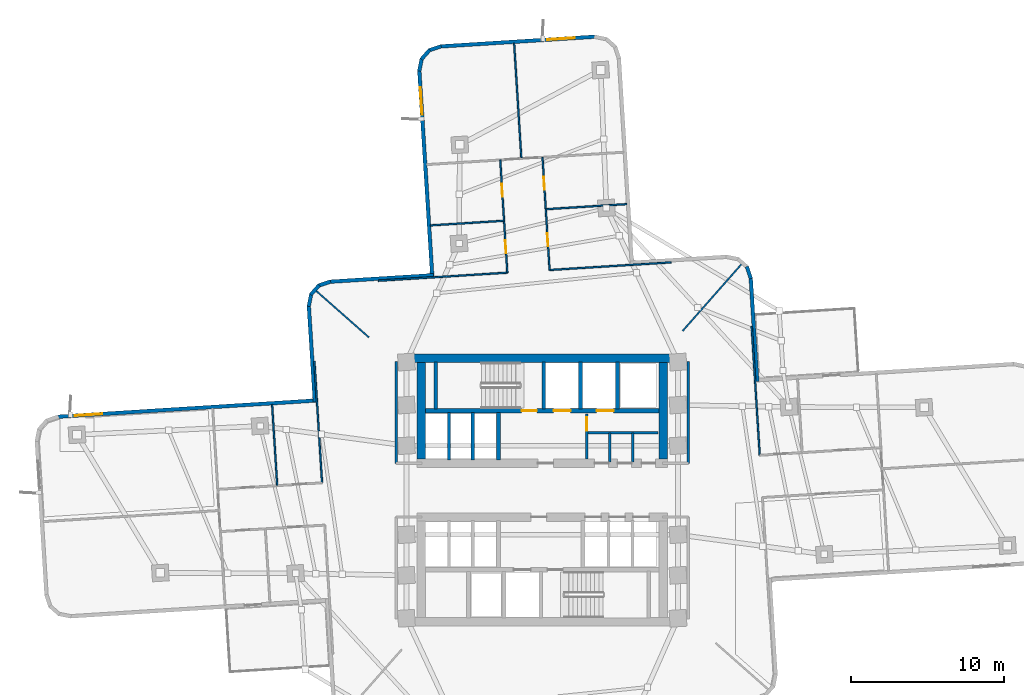
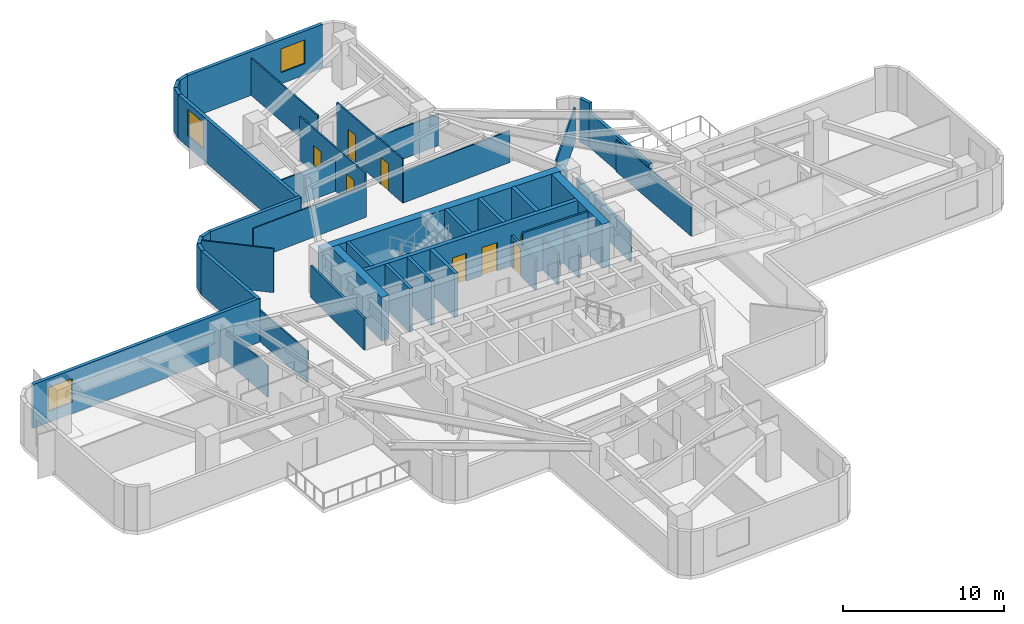
# One storey, part 5 of 11: 42 walls, 8 doors, 3 windows, 11 openings.
"""IFC4 building model written with IfcOpenShell, lengths in metres."""

import ifcopenshell
import ifcopenshell.guid

model = None  # the IFC model being written
_history = None  # IfcOwnerHistory: only IFC2X3 demands one
_inside = {}  # id of a spatial element -> (the spatial element, [elements in it])
_under = {}  # id of a project, library or spatial element -> (it, [spatial elements below it])
_declared = {}  # id of a project -> (the project, [libraries it declares])
_typed = {}  # id of a type object -> (the type object, [elements of that type])
_made_of = {}  # id of a material, layer set ... -> (it, [elements and type objects made of it])


def new_model(schema):
    """Start an empty IFC model of exactly this schema.

    Asked for "IFC4X3", IfcOpenShell would pick the latest addendum, in which some entities
    have other attributes; the version numbers below select the first issue.
    IFC2X3 requires an IfcOwnerHistory on every rooted entity: one is made here for all.
    """
    global model, _history
    if schema == "IFC4X3":
        model = ifcopenshell.file(schema_version=(4, 3, 0, 0))
    else:
        model = ifcopenshell.file(schema=schema)
    _inside.clear()
    _under.clear()
    _declared.clear()
    _typed.clear()
    _made_of.clear()
    _history = None
    if model.schema == "IFC2X3":
        org = make("IfcOrganization", Name="unknown")
        user = make(
            "IfcPersonAndOrganization",
            ThePerson=make("IfcPerson", FamilyName="unknown"),
            TheOrganization=org,
        )
        app = make(
            "IfcApplication",
            ApplicationDeveloper=org,
            Version="unknown",
            ApplicationFullName="unknown",
            ApplicationIdentifier="unknown",
        )
        _history = make(
            "IfcOwnerHistory",
            OwningUser=user,
            OwningApplication=app,
            ChangeAction="ADDED",
            CreationDate=0,
        )
    return model


def make(cls, **values):
    """One entity of the class cls with the attributes given. An attribute that is None is left unset."""
    return model.create_entity(
        cls, **{name: value for name, value in values.items() if value is not None}
    )


def rooted(cls, **values):
    """An entity with a GlobalId (a new one), such as an element, a storey or a relation."""
    return make(cls, GlobalId=ifcopenshell.guid.new(), OwnerHistory=_history, **values)


def si_unit(unit_type, name, prefix=None):
    """IfcSIUnit, for example si_unit("LENGTHUNIT", "METRE", prefix="MILLI")."""
    return make("IfcSIUnit", UnitType=unit_type, Prefix=prefix, Name=name)


def assignment(units):
    """IfcUnitAssignment: the units of a project."""
    return None if units is None else make("IfcUnitAssignment", Units=units)


def point(xyz):
    """IfcCartesianPoint."""
    return None if xyz is None else make("IfcCartesianPoint", Coordinates=xyz)


def direction(xyz):
    """IfcDirection."""
    return None if xyz is None else make("IfcDirection", DirectionRatios=xyz)


def frame(location, z_axis=None, x_axis=None):
    """IfcAxis2Placement3D, a coordinate frame: its origin and axes. An axis left out is left unset."""
    return make(
        "IfcAxis2Placement3D",
        Location=point(location),
        Axis=direction(z_axis),
        RefDirection=direction(x_axis),
    )


def frame_2d(location, x_axis=None):
    """IfcAxis2Placement2D, a coordinate frame in the plane: its origin and x axis."""
    return make(
        "IfcAxis2Placement2D", Location=point(location), RefDirection=direction(x_axis)
    )


def origin():
    """The frame at (0, 0, 0) with its axes left unset."""
    return frame((0.0, 0.0, 0.0))


def place(relative_to, where):
    """IfcLocalPlacement: puts the frame where relative to a parent placement (None: the world)."""
    return make(
        "IfcLocalPlacement", PlacementRelTo=relative_to, RelativePlacement=where
    )


def context(
    kind, dimensions, precision=None, world=None, true_north=None, identifier=None
):
    """IfcGeometricRepresentationContext, for example the 3D "Model" context."""
    return make(
        "IfcGeometricRepresentationContext",
        ContextIdentifier=identifier,
        ContextType=kind,
        CoordinateSpaceDimension=dimensions,
        Precision=precision,
        WorldCoordinateSystem=world,
        TrueNorth=true_north,
    )


def subcontext(parent, identifier, kind, view, scale=None):
    """IfcGeometricRepresentationSubContext, for example "Body" below "Model"."""
    return make(
        "IfcGeometricRepresentationSubContext",
        ContextIdentifier=identifier,
        ContextType=kind,
        ParentContext=parent,
        TargetScale=scale,
        TargetView=view,
    )


def project(units=None, contexts=None):
    """IfcProject with its units and contexts."""
    return rooted(
        "IfcProject",
        Name="project",
        RepresentationContexts=contexts,
        UnitsInContext=assignment(units),
    )


def spatial(cls, under=None, at=None, **own):
    """A site, building, storey or space (cls), placed at a placement, below another one or the project."""
    s = rooted(cls, ObjectPlacement=at, **own)
    if under is not None:
        _under.setdefault(under.id(), (under, []))[1].append(s)
    return s


def profile(cls, at=None, kind="AREA", **sizes):
    """A parametric profile (cls). Its sizes go by their IFC names, for example OverallWidth=200.0."""
    return make(cls, ProfileType=kind, Position=at, **sizes)


def rectangle(**sizes):
    """IfcRectangleProfileDef."""
    return profile("IfcRectangleProfileDef", **sizes)


def extrude(swept, where, along, depth):
    """IfcExtrudedAreaSolid: the profile swept, set in the frame where, extruded along a direction by depth."""
    return make(
        "IfcExtrudedAreaSolid",
        SweptArea=swept,
        Position=where,
        ExtrudedDirection=direction(along),
        Depth=depth,
    )


def shape(context_of_items, identifier, shape_type, items):
    """IfcShapeRepresentation: the items that make up one representation, for example the "Body"."""
    return make(
        "IfcShapeRepresentation",
        ContextOfItems=context_of_items,
        RepresentationIdentifier=identifier,
        RepresentationType=shape_type,
        Items=items,
    )


def material(Name=None, Category=None):
    """IfcMaterial."""
    return make("IfcMaterial", Name=Name, Category=Category)


def layer(
    of_material, thickness, ventilated=None, Name=None, Category=None, Priority=None
):
    """IfcMaterialLayer: one layer of a wall or slab, of a material (None: an air gap)."""
    return make(
        "IfcMaterialLayer",
        Material=of_material,
        LayerThickness=thickness,
        IsVentilated=ventilated,
        Name=Name,
        Category=Category,
        Priority=Priority,
    )


def layer_set(layers, Name=None):
    """IfcMaterialLayerSet."""
    return make("IfcMaterialLayerSet", MaterialLayers=layers, LayerSetName=Name)


def made_of(thing, what):
    """Note that an element or type object is made of a material, layer set ...; save() writes the relation."""
    if what is not None:
        _made_of.setdefault(what.id(), (what, []))[1].append(thing)
    return thing


def type_object(cls, material=None, **own):
    """A type object (cls), such as IfcWallType, which elements share."""
    return made_of(rooted(cls, **own), material)


def element(
    cls,
    number,
    at=None,
    inside=None,
    cuts=None,
    type_object=None,
    material=None,
    context=None,
    identifier="Body",
    shape_type=None,
    held_by="IfcProductDefinitionShape",
    body=None,
    shapes=None,
    **own,
):
    """One element of the class cls, such as IfcWall. Its Tag is "e" and its number.

    at: its placement. inside: the storey or other place that contains it. cuts: it is an
    opening in that element (IfcRelVoidsElement). A single representation is given by context,
    identifier, shape_type and body (its items); several are given by shapes. held_by: the class
    of the entity that holds the representations. save() writes the other relations.
    """
    e = rooted(cls, Tag="e%d" % number, ObjectPlacement=at, **own)
    if body is not None:
        shapes = [shape(context, identifier, shape_type, body)]
    if shapes is not None:
        e.Representation = make(held_by, Representations=shapes)
    if inside is not None:
        _inside.setdefault(inside.id(), (inside, []))[1].append(e)
    if cuts is not None:
        rooted(
            "IfcRelVoidsElement", RelatingBuildingElement=cuts, RelatedOpeningElement=e
        )
    if type_object is not None:
        _typed.setdefault(type_object.id(), (type_object, []))[1].append(e)
    return made_of(e, material)


def fill(opening, filler):
    """IfcRelFillsElement: the door or window that sits in an opening."""
    return rooted(
        "IfcRelFillsElement",
        RelatingOpeningElement=opening,
        RelatedBuildingElement=filler,
    )


def aggregate(whole, parts):
    """IfcRelAggregates: a whole, such as a stair, and the parts it consists of."""
    return rooted("IfcRelAggregates", RelatingObject=whole, RelatedObjects=parts)


def save(model, path):
    """Write the relations noted so far, then the file.

    IfcRelAggregates (storeys below a building ...), IfcRelContainedInSpatialStructure (elements
    in a storey), IfcRelDefinesByType, IfcRelAssociatesMaterial and IfcRelDeclares: one each for
    every whole, place, type object, material and project.
    """
    for whole, parts in _under.values():
        aggregate(whole, parts)
    for where, things in _inside.values():
        rooted(
            "IfcRelContainedInSpatialStructure",
            RelatedElements=things,
            RelatingStructure=where,
        )
    for kind, things in _typed.values():
        rooted("IfcRelDefinesByType", RelatedObjects=things, RelatingType=kind)
    for what, things in _made_of.values():
        rooted("IfcRelAssociatesMaterial", RelatedObjects=things, RelatingMaterial=what)
    for by, libraries in _declared.values():
        rooted("IfcRelDeclares", RelatingContext=by, RelatedDefinitions=libraries)
    model.write(path)


model = new_model("IFC4")

# Units and contexts
model_context = context("Model", 3, precision=1e-05, world=origin(), true_north=direction((0.0, 1.0)))
body_context = subcontext(model_context, "Body", "Model", "MODEL_VIEW")
ifc_project = project(units=[si_unit("LENGTHUNIT", "METRE"), si_unit("AREAUNIT", "SQUARE_METRE"), si_unit("VOLUMEUNIT", "CUBIC_METRE"), si_unit("PLANEANGLEUNIT", "RADIAN"), si_unit("MASSUNIT", "GRAM", prefix="KILO")], contexts=[model_context])

# Site, building, storey
site_placement = place(None, origin())
site = spatial("IfcSite", under=ifc_project, at=site_placement, CompositionType="ELEMENT")
building_placement = place(site_placement, origin())
building = spatial("IfcBuilding", under=site, at=building_placement, Name="Solmarez Civic Tower", CompositionType="ELEMENT")
storey_placement = place(building_placement, frame((0.0, 0.0, 49.679931640625)))
storey = spatial("IfcBuildingStorey", under=building, at=storey_placement, Name="L12", CompositionType="ELEMENT", Elevation=49.679931640625)

# Walls
ifc_material_1 = material(Name="Concrete C60/75", Category="concrete")
ifc_layer_1 = layer(ifc_material_1, 0.550048828125)
ifc_layer_set_1 = layer_set([ifc_layer_1], Name="Concrete C60/75")
wall_type_1 = type_object("IfcWallType", Name="WALL-CORE-550", PredefinedType="SHEAR", material=ifc_layer_set_1)
wall_1_placement = place(storey_placement, frame((-8.780029296875, 8.5849609375, 0.0), z_axis=(0.0, 0.0, 1.0), x_axis=(1.0, 0.0, 0.0)))
element("IfcWall", 1, at=wall_1_placement, inside=storey, type_object=wall_type_1, Name="L12 Split-Core Structural Wall NCW-N-L12", PredefinedType="SHEAR", context=body_context, shape_type="SweptSolid", body=[
    extrude(rectangle(XDim=17.56005859375, YDim=0.550048828125, at=frame_2d((8.780029296875, 0.0))), origin(), (0.0, 0.0, 1.0), 3.320068359375),
])
for number, where, z_axis, x_axis, name in (
    (2, (-7.89501953125, 2.02490234375, 0.0), (0.0, 0.0, 1.0), (0.0, 1.0, 0.0), "L12 Split-Core Structural Wall NCW-W-L12"),
    (3, (7.89501953125, 8.31005859375, 0.0), (0.0, 0.0, 1.0), (0.0, -1.0, 0.0), "L12 Split-Core Structural Wall NCW-E-L12"),
):
    element("IfcWall", number, at=place(storey_placement, frame(where, z_axis=z_axis, x_axis=x_axis)), inside=storey, type_object=wall_type_1, Name=name, PredefinedType="SHEAR", context=body_context, shape_type="SweptSolid", body=[
        extrude(rectangle(XDim=6.28515625, YDim=0.550048828125, at=frame_2d((3.142578125, 0.0))), origin(), (0.0, 0.0, 1.0), 3.320068359375),
    ])

# Wall, opening, window
ifc_material_2 = material(Name="Precast concrete C40/50", Category="concrete")
ifc_layer_2 = layer(ifc_material_2, 0.239990234375)
ifc_layer_set_2 = layer_set([ifc_layer_2], Name="Precast concrete C40/50")
wall_type_2 = type_object("IfcWallType", Name="WALL-EXT-240", PredefinedType="SOLIDWALL", material=ifc_layer_set_2)
wall_2_placement = place(storey_placement, frame((-31.572021484375, 4.787109375, 0.0), z_axis=(0.0, 0.0, 1.0), x_axis=(0.998025974342, 0.062802504235, 0.0)))
wall_2 = element("IfcWall", 4, at=wall_2_placement, inside=storey, type_object=wall_type_2, Name="L12 Exterior Precast Wall 10", PredefinedType="SOLIDWALL", context=body_context, shape_type="SweptSolid", body=[
    extrude(rectangle(XDim=16.875244140625, YDim=0.239990234375, at=frame_2d((8.4375, 0.0))), origin(), (0.0, 0.0, 1.0), 3.320068359375),
])
opening_1_placement = place(wall_2_placement, frame((1.10009765625, 0.0, 0.85009765625)))
opening_1 = element("IfcOpeningElement", 5, at=opening_1_placement, cuts=wall_2, Name="Opening W-08", PredefinedType="OPENING", context=body_context, shape_type="SweptSolid", body=[
    extrude(rectangle(XDim=1.800048828125, YDim=1.800048828125, at=frame_2d((0.89990234375, 0.89990234375))), frame((0.0, 0.1298828125, 0.0), z_axis=(0.0, -1.0, 0.0), x_axis=(1.0, 0.0, 0.0)), (0.0, 0.0, 1.0), 0.260009765625),
])
ifc_material_3 = material(Name="Solar Control Bronze-Tinted Insulating Glass", Category="glass")
window_type_1 = type_object("IfcWindowType", Name="WIN-1800X1800", PartitioningType="SINGLE_PANEL", PredefinedType="WINDOW", material=ifc_material_3)
window_1_placement = place(opening_1_placement, origin())
window_1 = element("IfcWindow", 6, at=window_1_placement, inside=storey, type_object=window_type_1, Name="L12 Exterior Facade Window 10", OverallHeight=1.800048828125, OverallWidth=1.800048828125, PartitioningType="SINGLE_PANEL", PredefinedType="WINDOW", context=body_context, shape_type="SweptSolid", body=[
    extrude(rectangle(XDim=1.800048828125, YDim=1.800048828125, at=frame_2d((0.89990234375, 0.89990234375))), frame((0.0, 0.030029296875, 0.0), z_axis=(0.0, -1.0, 0.0), x_axis=(1.0, 0.0, 0.0)), (0.0, 0.0, 1.0), 0.06005859375),
])
fill(opening_1, window_1)

# Walls
wall_3_placement = place(storey_placement, frame((-14.820068359375, 5.7451171875, 0.0), z_axis=(0.0, 0.0, 1.0), x_axis=(-0.062902193405, 0.998019696231, 0.0)))
element("IfcWall", 7, at=wall_3_placement, inside=storey, type_object=wall_type_2, Name="L12 Exterior Precast Wall 13", PredefinedType="SOLIDWALL", context=body_context, shape_type="SweptSolid", body=[
    extrude(rectangle(XDim=6.29541015625, YDim=0.239990234375, at=frame_2d((3.147705078125, 0.0))), origin(), (0.0, 0.0, 1.0), 3.320068359375),
])
wall_4_placement = place(storey_placement, frame((-15.218994140625, 11.97802734375, 0.0), z_axis=(0.0, 0.0, 1.0), x_axis=(0.198715846348, 0.980057147523, 0.0)))
element("IfcWall", 8, at=wall_4_placement, inside=storey, type_object=wall_type_2, Name="L12 Exterior Precast Wall 14", PredefinedType="SOLIDWALL", context=body_context, shape_type="SweptSolid", body=[
    extrude(rectangle(XDim=0.83056640625, YDim=0.239990234375, at=frame_2d((0.415283203125, 0.0))), origin(), (0.0, 0.0, 1.0), 3.320068359375),
])
wall_5_placement = place(storey_placement, frame((-15.075927734375, 12.748046875, 0.0), z_axis=(0.0, 0.0, 1.0), x_axis=(0.66076961759, 0.750588777208, 0.0)))
element("IfcWall", 9, at=wall_5_placement, inside=storey, type_object=wall_type_2, Name="L12 Exterior Precast Wall 15", PredefinedType="SOLIDWALL", context=body_context, shape_type="SweptSolid", body=[
    extrude(rectangle(XDim=0.8154296875, YDim=0.239990234375, at=frame_2d((0.40771484375, 0.0))), origin(), (0.0, 0.0, 1.0), 3.320068359375),
])
wall_6_placement = place(storey_placement, frame((-14.577880859375, 13.3330078125, 0.0), z_axis=(0.0, 0.0, 1.0), x_axis=(0.948093326492, 0.317992207862, 0.0)))
element("IfcWall", 10, at=wall_6_placement, inside=storey, type_object=wall_type_2, Name="L12 Exterior Precast Wall 16", PredefinedType="SOLIDWALL", context=body_context, shape_type="SweptSolid", body=[
    extrude(rectangle(XDim=0.829833984375, YDim=0.239990234375, at=frame_2d((0.4150390625, 0.0))), origin(), (0.0, 0.0, 1.0), 3.320068359375),
])
wall_7_placement = place(storey_placement, frame((-13.840087890625, 13.5869140625, 0.0), z_axis=(0.0, 0.0, 1.0), x_axis=(0.998021898782, 0.062867237505, 0.0)))
element("IfcWall", 11, at=wall_7_placement, inside=storey, type_object=wall_type_2, Name="L12 Exterior Precast Wall 17", PredefinedType="SOLIDWALL", context=body_context, shape_type="SweptSolid", body=[
    extrude(rectangle(XDim=6.776611328125, YDim=0.239990234375, at=frame_2d((3.38818359375, 0.0))), origin(), (0.0, 0.0, 1.0), 3.320068359375),
])

# Wall, opening, window
wall_8_placement = place(storey_placement, frame((-7.1669921875, 13.910888671875, 0.0), z_axis=(0.0, 0.0, 1.0), x_axis=(-0.062847485521, 0.9980231428, 0.0)))
wall_8 = element("IfcWall", 12, at=wall_8_placement, inside=storey, type_object=wall_type_2, Name="L12 Exterior Precast Wall 20", PredefinedType="SOLIDWALL", context=body_context, shape_type="SweptSolid", body=[
    extrude(rectangle(XDim=13.475830078125, YDim=0.239990234375, at=frame_2d((6.73779296875, 0.0))), origin(), (0.0, 0.0, 1.0), 3.320068359375),
])
opening_2_placement = place(wall_8_placement, frame((10.575927734375, 0.0, 0.85009765625)))
opening_2 = element("IfcOpeningElement", 13, at=opening_2_placement, cuts=wall_8, Name="Opening W-04", PredefinedType="OPENING", context=body_context, shape_type="SweptSolid", body=[
    extrude(rectangle(XDim=1.800048828125, YDim=2.0, at=frame_2d((0.89990234375, 1.0))), frame((0.0, 0.1298828125, 0.0), z_axis=(0.0, -1.0, 0.0), x_axis=(1.0, 0.0, 0.0)), (0.0, 0.0, 1.0), 0.260009765625),
])
window_type_2 = type_object("IfcWindowType", Name="WIN-1800X2000", PartitioningType="SINGLE_PANEL", PredefinedType="WINDOW", material=ifc_material_3)
window_2_placement = place(opening_2_placement, origin())
window_2 = element("IfcWindow", 14, at=window_2_placement, inside=storey, type_object=window_type_2, Name="L12 Exterior Facade Window 20", OverallHeight=2.0, OverallWidth=1.800048828125, PartitioningType="SINGLE_PANEL", PredefinedType="WINDOW", context=body_context, shape_type="SweptSolid", body=[
    extrude(rectangle(XDim=1.800048828125, YDim=2.0, at=frame_2d((0.89990234375, 1.0))), frame((0.0, 0.030029296875, 0.0), z_axis=(0.0, -1.0, 0.0), x_axis=(1.0, 0.0, 0.0)), (0.0, 0.0, 1.0), 0.06005859375),
])
fill(opening_2, window_2)

# Walls
wall_9_placement = place(storey_placement, frame((-8.01708984375, 27.31005859375, 0.0), z_axis=(0.0, 0.0, 1.0), x_axis=(0.197358504911, 0.980331383023, 0.0)))
element("IfcWall", 15, at=wall_9_placement, inside=storey, type_object=wall_type_2, Name="L12 Exterior Precast Wall 21", PredefinedType="SOLIDWALL", context=body_context, shape_type="SweptSolid", body=[
    extrude(rectangle(XDim=0.831298828125, YDim=0.239990234375, at=frame_2d((0.41552734375, 0.0))), origin(), (0.0, 0.0, 1.0), 3.320068359375),
])
wall_10_placement = place(storey_placement, frame((-7.875, 28.0810546875, 0.0), z_axis=(0.0, 0.0, 1.0), x_axis=(0.661681103469, 0.749785380833, 0.0)))
element("IfcWall", 16, at=wall_10_placement, inside=storey, type_object=wall_type_2, Name="L12 Exterior Precast Wall 22", PredefinedType="SOLIDWALL", context=body_context, shape_type="SweptSolid", body=[
    extrude(rectangle(XDim=0.814697265625, YDim=0.239990234375, at=frame_2d((0.4072265625, 0.0))), origin(), (0.0, 0.0, 1.0), 3.320068359375),
])
wall_11_placement = place(storey_placement, frame((-7.376953125, 28.6650390625, 0.0), z_axis=(0.0, 0.0, 1.0), x_axis=(0.947857653451, 0.318694004956, 0.0)))
element("IfcWall", 17, at=wall_11_placement, inside=storey, type_object=wall_type_2, Name="L12 Exterior Precast Wall 23", PredefinedType="SOLIDWALL", context=body_context, shape_type="SweptSolid", body=[
    extrude(rectangle(XDim=0.831298828125, YDim=0.239990234375, at=frame_2d((0.41552734375, 0.0))), origin(), (0.0, 0.0, 1.0), 3.320068359375),
])

# Wall, opening, window
wall_12_placement = place(storey_placement, frame((-6.637939453125, 28.919921875, 0.0), z_axis=(0.0, 0.0, 1.0), x_axis=(0.99802074608, 0.062885534062, 0.0)))
wall_12 = element("IfcWall", 18, at=wall_12_placement, inside=storey, type_object=wall_type_2, Name="L12 Exterior Precast Wall 24", PredefinedType="SOLIDWALL", context=body_context, shape_type="SweptSolid", body=[
    extrude(rectangle(XDim=10.097900390625, YDim=0.239990234375, at=frame_2d((5.048828125, 0.0))), origin(), (0.0, 0.0, 1.0), 3.320068359375),
])
opening_3_placement = place(wall_12_placement, frame((6.97607421875, 0.0, 0.85009765625)))
opening_3 = element("IfcOpeningElement", 19, at=opening_3_placement, cuts=wall_12, Name="Opening W-08", PredefinedType="OPENING", context=body_context, shape_type="SweptSolid", body=[
    extrude(rectangle(XDim=1.800048828125, YDim=1.800048828125, at=frame_2d((0.89990234375, 0.89990234375))), frame((0.0, 0.1298828125, 0.0), z_axis=(0.0, -1.0, 0.0), x_axis=(1.0, 0.0, 0.0)), (0.0, 0.0, 1.0), 0.260009765625),
])
window_3_placement = place(opening_3_placement, origin())
window_3 = element("IfcWindow", 20, at=window_3_placement, inside=storey, type_object=window_type_1, Name="L12 Exterior Facade Window 24", OverallHeight=1.800048828125, OverallWidth=1.800048828125, PartitioningType="SINGLE_PANEL", PredefinedType="WINDOW", context=body_context, shape_type="SweptSolid", body=[
    extrude(rectangle(XDim=1.800048828125, YDim=1.800048828125, at=frame_2d((0.89990234375, 0.89990234375))), frame((0.0, 0.030029296875, 0.0), z_axis=(0.0, -1.0, 0.0), x_axis=(1.0, 0.0, 0.0)), (0.0, 0.0, 1.0), 0.06005859375),
])
fill(opening_3, window_3)

# Walls
wall_13_placement = place(storey_placement, frame((13.3330078125, 14.577880859375, 0.0), z_axis=(0.0, 0.0, 1.0), x_axis=(0.317992207862, -0.948093326492, 0.0)))
element("IfcWall", 21, at=wall_13_placement, inside=storey, type_object=wall_type_2, Name="L12 Exterior Precast Wall 34", PredefinedType="SOLIDWALL", context=body_context, shape_type="SweptSolid", body=[
    extrude(rectangle(XDim=0.829833984375, YDim=0.239990234375, at=frame_2d((0.4150390625, 0.0))), origin(), (0.0, 0.0, 1.0), 3.320068359375),
])
wall_14_placement = place(storey_placement, frame((13.5869140625, 13.840087890625, 0.0), z_axis=(0.0, 0.0, 1.0), x_axis=(0.062867237505, -0.998021898782, 0.0)))
element("IfcWall", 22, at=wall_14_placement, inside=storey, type_object=wall_type_2, Name="L12 Exterior Precast Wall 35", PredefinedType="SOLIDWALL", context=body_context, shape_type="SweptSolid", body=[
    extrude(rectangle(XDim=6.776611328125, YDim=0.239990234375, at=frame_2d((3.38818359375, 0.0))), origin(), (0.0, 0.0, 1.0), 2.6240234375),
])
ifc_material_4 = material(Name="Gypsum Board Acoustic Steel-Stud Partition", Category="steel")
ifc_layer_3 = layer(ifc_material_4, 0.14990234375)
ifc_layer_set_3 = layer_set([ifc_layer_3], Name="Gypsum Board Acoustic Steel-Stud Partition")
wall_type_3 = type_object("IfcWallType", Name="WALL-INT-FIRE-150", PredefinedType="PARTITIONING", material=ifc_layer_set_3)
for number, where, z_axis, x_axis, name in (
    (23, (-9.52001953125, 1.75, 0.0), (0.0, 0.0, 1.0), (0.0, 1.0, 0.0), "L12 Interior Partition CHW-L12-WN1"),
    (24, (9.52001953125, 1.75, 0.0), (0.0, 0.0, 1.0), (0.0, 1.0, 0.0), "L12 Interior Partition CHW-L12-EN1"),
):
    element("IfcWall", number, at=place(storey_placement, frame(where, z_axis=z_axis, x_axis=x_axis)), inside=storey, type_object=wall_type_3, Name=name, PredefinedType="PARTITIONING", context=body_context, shape_type="SweptSolid", body=[
        extrude(rectangle(XDim=6.6298828125, YDim=0.14990234375, at=frame_2d((3.31494140625, 0.0))), origin(), (0.0, 0.0, 1.0), 2.401123046875),
    ])
ifc_layer_4 = layer(ifc_material_4, 0.10009765625)
ifc_layer_set_4 = layer_set([ifc_layer_4], Name="Gypsum Board Acoustic Steel-Stud Partition")
wall_type_4 = type_object("IfcWallType", Name="WALL-INT-PART-100", PredefinedType="PARTITIONING", material=ifc_layer_set_4)
wall_15_placement = place(storey_placement, frame((9.15087890625, 10.3798828125, 0.0), z_axis=(0.0, 0.0, 1.0), x_axis=(0.661373124857, 0.750057057641, 0.0)))
element("IfcWall", 25, at=wall_15_placement, inside=storey, type_object=wall_type_4, Name="L12 Interior Partition PT-L12-QDIV-1", PredefinedType="PARTITIONING", context=body_context, shape_type="SweptSolid", body=[
    extrude(rectangle(XDim=5.81689453125, YDim=0.10009765625, at=frame_2d((2.908447265625, 0.0))), origin(), (0.0, 0.0, 1.0), 2.6240234375),
])
wall_16_placement = place(storey_placement, frame((-11.300048828125, 9.9619140625, 0.0), z_axis=(0.0, 0.0, 1.0), x_axis=(-0.750020974917, 0.661414043686, 0.0)))
element("IfcWall", 26, at=wall_16_placement, inside=storey, type_object=wall_type_4, Name="L12 Interior Partition PT-L12-QDIV-2", PredefinedType="PARTITIONING", context=body_context, shape_type="SweptSolid", body=[
    extrude(rectangle(XDim=4.59033203125, YDim=0.10009765625, at=frame_2d((2.295166015625, 0.0))), origin(), (0.0, 0.0, 1.0), 3.320068359375),
])
for number, where, z_axis, x_axis, name in (
    (27, (14.176025390625, 2.264892578125, 0.0), (0.0, 0.0, 1.0), (-0.062875924382, 0.998021351542, 0.0), "L12 Interior Partition PT-L12-E-EFL"),
    (28, (-2.264892578125, 14.176025390625, 0.0), (0.0, 0.0, 1.0), (-0.998021351542, -0.062875924382, 0.0), "L12 Interior Partition PT-L12-N-EFL"),
):
    element("IfcWall", number, at=place(storey_placement, frame(where, z_axis=z_axis, x_axis=x_axis)), inside=storey, type_object=wall_type_4, Name=name, PredefinedType="PARTITIONING", context=body_context, shape_type="SweptSolid", body=[
        extrude(rectangle(XDim=8.4296875, YDim=0.10009765625, at=frame_2d((4.21484375, 0.0))), origin(), (0.0, 0.0, 1.0), 2.401123046875),
    ])
wall_17_placement = place(storey_placement, frame((8.404052734375, 14.846923828125, 0.0), z_axis=(0.0, 0.0, 1.0), x_axis=(-0.998027884619, -0.062772139706, 0.0)))
element("IfcWall", 29, at=wall_17_placement, inside=storey, type_object=wall_type_4, Name="L12 Interior Partition PT-L12-N-EFR", PredefinedType="PARTITIONING", context=body_context, shape_type="SweptSolid", body=[
    extrude(rectangle(XDim=7.94970703125, YDim=0.10009765625, at=frame_2d((3.974853515625, 0.0))), origin(), (0.0, 0.0, 1.0), 2.401123046875),
])
wall_18_placement = place(storey_placement, frame((-2.507080078125, 17.556884765625, 0.0), z_axis=(0.0, 0.0, 1.0), x_axis=(-0.998030925593, -0.062723771889, 0.0)))
element("IfcWall", 30, at=wall_18_placement, inside=storey, type_object=wall_type_4, Name="L12 Interior Partition PT-L12-N-LM", PredefinedType="PARTITIONING", context=body_context, shape_type="SweptSolid", body=[
    extrude(rectangle(XDim=4.79541015625, YDim=0.10009765625, at=frame_2d((2.397705078125, 0.0))), origin(), (0.0, 0.0, 1.0), 2.401123046875),
])
wall_19_placement = place(storey_placement, frame((5.514892578125, 18.64306640625, 0.0), z_axis=(0.0, 0.0, 1.0), x_axis=(-0.998028187643, -0.062767321666, 0.0)))
element("IfcWall", 31, at=wall_19_placement, inside=storey, type_object=wall_type_4, Name="L12 Interior Partition PT-L12-N-RM", PredefinedType="PARTITIONING", context=body_context, shape_type="SweptSolid", body=[
    extrude(rectangle(XDim=5.2744140625, YDim=0.10009765625, at=frame_2d((2.63720703125, 0.0))), origin(), (0.0, 0.0, 1.0), 2.401123046875),
])

# Wall, openings, doors
wall_20_placement = place(storey_placement, frame((-2.737060546875, 21.52099609375, 0.0), z_axis=(0.0, 0.0, 1.0), x_axis=(0.062789217057, -0.998026810372, 0.0)))
wall_20 = element("IfcWall", 32, at=wall_20_placement, inside=storey, type_object=wall_type_4, Name="L12 Interior Partition PT-L12-N-SL", PredefinedType="PARTITIONING", context=body_context, shape_type="SweptSolid", body=[
    extrude(rectangle(XDim=7.3603515625, YDim=0.10009765625, at=frame_2d((3.68017578125, 0.0))), origin(), (0.0, 0.0, 1.0), 3.320068359375),
])
opening_4_placement = place(wall_20_placement, frame((5.236083984375, 0.0, 0.0)))
opening_4 = element("IfcOpeningElement", 33, at=opening_4_placement, cuts=wall_20, Name="Opening D-14", PredefinedType="OPENING", context=body_context, shape_type="SweptSolid", body=[
    extrude(rectangle(XDim=0.860107421875, YDim=2.0400390625, at=frame_2d((0.43017578125, 1.02001953125))), frame((0.0, 0.06005859375, 0.0), z_axis=(0.0, -1.0, 0.0), x_axis=(1.0, 0.0, 0.0)), (0.0, 0.0, 1.0), 0.1201171875),
])
opening_5_placement = place(wall_20_placement, frame((1.555908203125, 0.0, 0.0)))
opening_5 = element("IfcOpeningElement", 34, at=opening_5_placement, cuts=wall_20, Name="Opening D-14", PredefinedType="OPENING", context=body_context, shape_type="SweptSolid", body=[
    extrude(rectangle(XDim=0.860107421875, YDim=2.0400390625, at=frame_2d((0.43017578125, 1.02001953125))), frame((0.0, 0.06005859375, 0.0), z_axis=(0.0, -1.0, 0.0), x_axis=(1.0, 0.0, 0.0)), (0.0, 0.0, 1.0), 0.1201171875),
])
ifc_material_5 = material(Name="Timber Storage and Pantry Door", Category="wood")
door_type_1 = type_object("IfcDoorType", Name="DOOR-INT-850", OperationType="NOTDEFINED", PredefinedType="DOOR", material=ifc_material_5)
door_1_placement = place(opening_4_placement, origin())
door_1 = element("IfcDoor", 35, at=door_1_placement, inside=storey, type_object=door_type_1, Name="L12 Public Reading Room First North Door", OperationType="SINGLE_SWING_LEFT", OverallHeight=2.0400390625, OverallWidth=0.860107421875, PredefinedType="DOOR", context=body_context, shape_type="SweptSolid", body=[
    extrude(rectangle(XDim=0.860107421875, YDim=2.0400390625, at=frame_2d((0.43017578125, 1.02001953125))), frame((0.0, 0.02490234375, 0.0), z_axis=(0.0, -1.0, 0.0), x_axis=(1.0, 0.0, 0.0)), (0.0, 0.0, 1.0), 0.050048828125),
])
fill(opening_4, door_1)
door_2_placement = place(opening_5_placement, origin())
door_2 = element("IfcDoor", 36, at=door_2_placement, inside=storey, type_object=door_type_1, Name="L12 Legal Study Room Second North Door", OperationType="SINGLE_SWING_RIGHT", OverallHeight=2.0400390625, OverallWidth=0.860107421875, PredefinedType="DOOR", context=body_context, shape_type="SweptSolid", body=[
    extrude(rectangle(XDim=0.860107421875, YDim=2.0400390625, at=frame_2d((0.43017578125, 1.02001953125))), frame((0.0, 0.02490234375, 0.0), z_axis=(0.0, -1.0, 0.0), x_axis=(1.0, 0.0, 0.0)), (0.0, 0.0, 1.0), 0.050048828125),
])
fill(opening_5, door_2)

wall_21_placement = place(storey_placement, frame((0.47998046875, 14.347900390625, 0.0), z_axis=(0.0, 0.0, 1.0), x_axis=(-0.062754101162, 0.998029019011, 0.0)))
wall_21 = element("IfcWall", 37, at=wall_21_placement, inside=storey, type_object=wall_type_4, Name="L12 Interior Partition PT-L12-N-SR", PredefinedType="PARTITIONING", context=body_context, shape_type="SweptSolid", body=[
    extrude(rectangle(XDim=7.360595703125, YDim=0.10009765625, at=frame_2d((3.68017578125, 0.0))), origin(), (0.0, 0.0, 1.0), 3.320068359375),
])
opening_6_placement = place(wall_21_placement, frame((1.554931640625, 0.0, 0.0)))
opening_6 = element("IfcOpeningElement", 38, at=opening_6_placement, cuts=wall_21, Name="Opening D-14", PredefinedType="OPENING", context=body_context, shape_type="SweptSolid", body=[
    extrude(rectangle(XDim=0.860107421875, YDim=2.0400390625, at=frame_2d((0.43017578125, 1.02001953125))), frame((0.0, 0.06005859375, 0.0), z_axis=(0.0, -1.0, 0.0), x_axis=(1.0, 0.0, 0.0)), (0.0, 0.0, 1.0), 0.1201171875),
])
opening_7_placement = place(wall_21_placement, frame((5.235107421875, 0.0, 0.0)))
opening_7 = element("IfcOpeningElement", 39, at=opening_7_placement, cuts=wall_21, Name="Opening D-14", PredefinedType="OPENING", context=body_context, shape_type="SweptSolid", body=[
    extrude(rectangle(XDim=0.860107421875, YDim=2.0400390625, at=frame_2d((0.43017578125, 1.02001953125))), frame((0.0, 0.06005859375, 0.0), z_axis=(0.0, -1.0, 0.0), x_axis=(1.0, 0.0, 0.0)), (0.0, 0.0, 1.0), 0.1201171875),
])
door_3_placement = place(opening_6_placement, origin())
door_3 = element("IfcDoor", 40, at=door_3_placement, inside=storey, type_object=door_type_1, Name="L12 Policy Administration Office Third North Door", OperationType="SINGLE_SWING_RIGHT", OverallHeight=2.0400390625, OverallWidth=0.860107421875, PredefinedType="DOOR", context=body_context, shape_type="SweptSolid", body=[
    extrude(rectangle(XDim=0.860107421875, YDim=2.0400390625, at=frame_2d((0.43017578125, 1.02001953125))), frame((0.0, 0.02490234375, 0.0), z_axis=(0.0, -1.0, 0.0), x_axis=(1.0, 0.0, 0.0)), (0.0, 0.0, 1.0), 0.050048828125),
])
fill(opening_6, door_3)
door_4_placement = place(opening_7_placement, origin())
door_4 = element("IfcDoor", 41, at=door_4_placement, inside=storey, type_object=door_type_1, Name="L12 Municipal Law Library Fourth North Door", OperationType="SINGLE_SWING_LEFT", OverallHeight=2.0400390625, OverallWidth=0.860107421875, PredefinedType="DOOR", context=body_context, shape_type="SweptSolid", body=[
    extrude(rectangle(XDim=0.860107421875, YDim=2.0400390625, at=frame_2d((0.43017578125, 1.02001953125))), frame((0.0, 0.02490234375, 0.0), z_axis=(0.0, -1.0, 0.0), x_axis=(1.0, 0.0, 0.0)), (0.0, 0.0, 1.0), 0.050048828125),
])
fill(opening_7, door_4)

# Walls
wall_22_placement = place(storey_placement, frame((-1.363037109375, 21.6669921875, 0.0), z_axis=(0.0, 0.0, 1.0), x_axis=(-0.062790517126, 0.998026728579, 0.0)))
element("IfcWall", 42, at=wall_22_placement, inside=storey, type_object=wall_type_4, Name="L12 Interior Partition PT-L12-N-TM", PredefinedType="PARTITIONING", context=body_context, shape_type="SweptSolid", body=[
    extrude(rectangle(XDim=7.484619140625, YDim=0.10009765625, at=frame_2d((3.7421875, 0.0))), origin(), (0.0, 0.0, 1.0), 2.81201171875),
])
wall_23_placement = place(storey_placement, frame((-14.846923828125, 8.404052734375, 0.0), z_axis=(0.0, 0.0, 1.0), x_axis=(0.062772139706, -0.998027884619, 0.0)))
element("IfcWall", 43, at=wall_23_placement, inside=storey, type_object=wall_type_4, Name="L12 Interior Partition PT-L12-W-EFR", PredefinedType="PARTITIONING", context=body_context, shape_type="SweptSolid", body=[
    extrude(rectangle(XDim=7.94970703125, YDim=0.10009765625, at=frame_2d((3.974853515625, 0.0))), origin(), (0.0, 0.0, 1.0), 2.401123046875),
])
wall_24_placement = place(storey_placement, frame((-17.60498046875, 5.5810546875, 0.0), z_axis=(0.0, 0.0, 1.0), x_axis=(0.0627528266, -0.998029099152, 0.0)))
element("IfcWall", 44, at=wall_24_placement, inside=storey, type_object=wall_type_4, Name="L12 Interior Partition PT-L12-W-RM", PredefinedType="PARTITIONING", context=body_context, shape_type="SweptSolid", body=[
    extrude(rectangle(XDim=5.275634765625, YDim=0.10009765625, at=frame_2d((2.6376953125, 0.0))), origin(), (0.0, 0.0, 1.0), 2.401123046875),
])

# Wall, opening, door
ifc_layer_5 = layer(ifc_material_4, 0.159912109375)
ifc_layer_set_5 = layer_set([ifc_layer_5], Name="Gypsum Board Acoustic Steel-Stud Partition")
wall_type_5 = type_object("IfcWallType", Name="WALL-INT-SHAFT-160", PredefinedType="PARTITIONING", material=ifc_layer_set_5)
wall_25_placement = place(storey_placement, frame((2.89990234375, 2.0400390625, 0.0), z_axis=(0.0, 0.0, 1.0), x_axis=(0.0, 1.0, 0.0)))
wall_25 = element("IfcWall", 45, at=wall_25_placement, inside=storey, type_object=wall_type_5, Name="L12 Interior Partition SHW-NL2-L12", PredefinedType="PARTITIONING", context=body_context, shape_type="SweptSolid", body=[
    extrude(rectangle(XDim=2.93994140625, YDim=0.159912109375, at=frame_2d((1.469970703125, 0.0))), origin(), (0.0, 0.0, 1.0), 2.385009765625),
])
opening_8_placement = place(wall_25_placement, frame((1.820068359375, 0.0, 0.0)))
opening_8 = element("IfcOpeningElement", 46, at=opening_8_placement, cuts=wall_25, Name="Opening D-09", PredefinedType="OPENING", context=body_context, shape_type="SweptSolid", body=[
    extrude(rectangle(XDim=0.89990234375, YDim=2.06005859375, at=frame_2d((0.449951171875, 1.030029296875))), frame((0.0, 0.08984375, 0.0), z_axis=(0.0, -1.0, 0.0), x_axis=(1.0, 0.0, 0.0)), (0.0, 0.0, 1.0), 0.179931640625),
])
ifc_material_6 = material(Name="Fire-Rated Service Core Door", Category="wood")
door_type_2 = type_object("IfcDoorType", Name="DOOR-FD60-900", OperationType="NOTDEFINED", PredefinedType="DOOR", material=ifc_material_6)
door_5_placement = place(opening_8_placement, origin())
door_5 = element("IfcDoor", 47, at=door_5_placement, inside=storey, type_object=door_type_2, Name="L12 Service Lift Lobby Door", OperationType="SINGLE_SWING_LEFT", OverallHeight=2.06005859375, OverallWidth=0.89990234375, PredefinedType="DOOR", context=body_context, shape_type="SweptSolid", body=[
    extrude(rectangle(XDim=0.89990234375, YDim=2.06005859375, at=frame_2d((0.449951171875, 1.030029296875))), frame((0.0, 0.02490234375, 0.0), z_axis=(0.0, -1.0, 0.0), x_axis=(1.0, 0.0, 0.0)), (0.0, 0.0, 1.0), 0.050048828125),
])
fill(opening_8, door_5)

# Walls
ifc_layer_6 = layer(ifc_material_4, 0.137939453125)
ifc_layer_set_6 = layer_set([ifc_layer_6], Name="Gypsum Board Acoustic Steel-Stud Partition")
wall_type_6 = type_object("IfcWallType", Name="WALL-INT-WET-140", PredefinedType="PARTITIONING", material=ifc_layer_set_6)
wall_26_placement = place(storey_placement, frame((2.89990234375, 3.739990234375, 0.0), z_axis=(0.0, 0.0, 1.0), x_axis=(1.0, 0.0, 0.0)))
element("IfcWall", 48, at=wall_26_placement, inside=storey, type_object=wall_type_6, Name="L12 Interior Partition SHW-SVH-L12", PredefinedType="PARTITIONING", context=body_context, shape_type="SweptSolid", body=[
    extrude(rectangle(XDim=4.650146484375, YDim=0.137939453125, at=frame_2d((2.3251953125, 0.0))), origin(), (0.0, 0.0, 1.0), 3.320068359375),
])
for number, where, z_axis, x_axis, name in (
    (49, (4.39990234375, 1.85009765625, 0.0), (0.0, 0.0, 1.0), (0.0, 1.0, 0.0), "L12 Interior Partition PT-NCSV1-L12"),
    (50, (5.89990234375, 1.85009765625, 0.0), (0.0, 0.0, 1.0), (0.0, 1.0, 0.0), "L12 Interior Partition PT-NCSV2-L12"),
):
    element("IfcWall", number, at=place(storey_placement, frame(where, z_axis=z_axis, x_axis=x_axis)), inside=storey, type_object=wall_type_6, Name=name, PredefinedType="PARTITIONING", context=body_context, shape_type="SweptSolid", body=[
        extrude(rectangle(XDim=1.889892578125, YDim=0.137939453125, at=frame_2d((0.94482421875, 0.0))), origin(), (0.0, 0.0, 1.0), 2.385009765625),
    ])

# Wall, openings, doors
ifc_material_7 = material(Name="Concrete C50/60", Category="concrete")
ifc_layer_7 = layer(ifc_material_7, 0.300048828125)
ifc_layer_set_7 = layer_set([ifc_layer_7], Name="Concrete C50/60")
wall_type_7 = type_object("IfcWallType", Name="WALL-STR-300", PredefinedType="SOLIDWALL", material=ifc_layer_set_7)
wall_27_placement = place(storey_placement, frame((7.6201171875, 5.179931640625, 0.0), z_axis=(0.0, 0.0, 1.0), x_axis=(-1.0, 0.0, 0.0)))
wall_27 = element("IfcWall", 51, at=wall_27_placement, inside=storey, type_object=wall_type_7, Name="L12 Split-Core Structural Wall NCW-M-L12", PredefinedType="SOLIDWALL", context=body_context, shape_type="SweptSolid", body=[
    extrude(rectangle(XDim=15.240234375, YDim=0.300048828125, at=frame_2d((7.6201171875, 0.0))), origin(), (0.0, 0.0, 1.0), 3.320068359375),
])
opening_9_placement = place(wall_27_placement, frame((5.77001953125, 0.0, 0.0)))
opening_9 = element("IfcOpeningElement", 52, at=opening_9_placement, cuts=wall_27, Name="Opening LD-02", PredefinedType="OPENING", context=body_context, shape_type="SweptSolid", body=[
    extrude(rectangle(XDim=1.10009765625, YDim=2.14990234375, at=frame_2d((0.550048828125, 1.074951171875))), frame((0.0, 0.159912109375, 0.0), z_axis=(0.0, -1.0, 0.0), x_axis=(1.0, 0.0, 0.0)), (0.0, 0.0, 1.0), 0.320068359375),
])
opening_10_placement = place(wall_27_placement, frame((2.969970703125, 0.0, 0.0)))
opening_10 = element("IfcOpeningElement", 53, at=opening_10_placement, cuts=wall_27, Name="Opening LD-03", PredefinedType="OPENING", context=body_context, shape_type="SweptSolid", body=[
    extrude(rectangle(XDim=1.10009765625, YDim=2.14990234375, at=frame_2d((0.550048828125, 1.074951171875))), frame((0.0, 0.159912109375, 0.0), z_axis=(0.0, -1.0, 0.0), x_axis=(1.0, 0.0, 0.0)), (0.0, 0.0, 1.0), 0.320068359375),
])
opening_11_placement = place(wall_27_placement, frame((7.969970703125, 0.0, 0.0)))
opening_11 = element("IfcOpeningElement", 54, at=opening_11_placement, cuts=wall_27, Name="Opening D-05", PredefinedType="OPENING", context=body_context, shape_type="SweptSolid", body=[
    extrude(rectangle(XDim=1.0, YDim=2.10009765625, at=frame_2d((0.5, 1.050048828125))), frame((0.0, 0.159912109375, 0.0), z_axis=(0.0, -1.0, 0.0), x_axis=(1.0, 0.0, 0.0)), (0.0, 0.0, 1.0), 0.320068359375),
])
ifc_material_8 = material(Name="Fire-Rated Stairwell Exit Door", Category="wood")
door_type_3 = type_object("IfcDoorType", Name="DOOR-FD90-1000", OperationType="NOTDEFINED", PredefinedType="DOOR", material=ifc_material_8)
door_6_placement = place(opening_11_placement, origin())
door_6 = element("IfcDoor", 55, at=door_6_placement, inside=storey, type_object=door_type_3, Name="L12 North Exit Stair Door ST-1", OperationType="SINGLE_SWING_LEFT", OverallHeight=2.10009765625, OverallWidth=1.0, PredefinedType="DOOR", context=body_context, shape_type="SweptSolid", body=[
    extrude(rectangle(XDim=1.0, YDim=2.10009765625, at=frame_2d((0.5, 1.050048828125))), frame((0.0, 0.02490234375, 0.0), z_axis=(0.0, -1.0, 0.0), x_axis=(1.0, 0.0, 0.0)), (0.0, 0.0, 1.0), 0.050048828125),
])
fill(opening_11, door_6)
ifc_material_9 = material(Name="Stainless Firefighting Lift Landing Sliding Door", Category="aluminium")
door_type_4 = type_object("IfcDoorType", Name="DOOR-LD-FF-1100", OperationType="DOUBLE_DOOR_SLIDING", PredefinedType="DOOR", material=ifc_material_9)
door_7_placement = place(opening_9_placement, origin())
door_7 = element("IfcDoor", 56, at=door_7_placement, inside=storey, type_object=door_type_4, Name="L12 Firefighting Lift Landing Door FFL-1", OperationType="DOUBLE_DOOR_SLIDING", OverallHeight=2.14990234375, OverallWidth=1.10009765625, PredefinedType="DOOR", context=body_context, shape_type="SweptSolid", body=[
    extrude(rectangle(XDim=1.10009765625, YDim=2.14990234375, at=frame_2d((0.550048828125, 1.074951171875))), frame((0.0, 0.02490234375, 0.0), z_axis=(0.0, -1.0, 0.0), x_axis=(1.0, 0.0, 0.0)), (0.0, 0.0, 1.0), 0.050048828125),
])
fill(opening_9, door_7)
ifc_material_10 = material(Name="Stainless Stretcher Lift Landing Sliding Door", Category="aluminium")
door_type_5 = type_object("IfcDoorType", Name="DOOR-LD-SV-1100", OperationType="DOUBLE_DOOR_SLIDING", PredefinedType="DOOR", material=ifc_material_10)
door_8_placement = place(opening_10_placement, origin())
door_8 = element("IfcDoor", 57, at=door_8_placement, inside=storey, type_object=door_type_5, Name="L12 Service Stretcher Lift Landing Door SVL-1", OperationType="DOUBLE_DOOR_SLIDING", OverallHeight=2.14990234375, OverallWidth=1.10009765625, PredefinedType="DOOR", context=body_context, shape_type="SweptSolid", body=[
    extrude(rectangle(XDim=1.10009765625, YDim=2.14990234375, at=frame_2d((0.550048828125, 1.074951171875))), frame((0.0, 0.02490234375, 0.0), z_axis=(0.0, -1.0, 0.0), x_axis=(1.0, 0.0, 0.0)), (0.0, 0.0, 1.0), 0.050048828125),
])
fill(opening_10, door_8)

# Walls
wall_28_placement = place(storey_placement, frame((-6.949951171875, 5.280029296875, 0.0), z_axis=(0.0, 0.0, 1.0), x_axis=(0.0, 1.0, 0.0)))
element("IfcWall", 58, at=wall_28_placement, inside=storey, type_object=wall_type_7, Name="L12 Split-Core Structural Wall SHW-NW-L12", PredefinedType="SOLIDWALL", context=body_context, shape_type="SweptSolid", body=[
    extrude(rectangle(XDim=3.06005859375, YDim=0.219970703125, at=frame_2d((1.530029296875, 0.0))), origin(), (0.0, 0.0, 1.0), 3.320068359375),
])
for number, where, z_axis, x_axis, name in (
    (59, (0.10009765625, 5.300048828125, 0.0), (0.0, 0.0, 1.0), (0.0, 1.0, 0.0), "L12 Split-Core Structural Wall SHW-N1-L12"),
    (60, (2.5, 5.300048828125, 0.0), (0.0, 0.0, 1.0), (0.0, 1.0, 0.0), "L12 Split-Core Structural Wall SHW-N2-L12"),
    (61, (4.89990234375, 5.300048828125, 0.0), (0.0, 0.0, 1.0), (0.0, 1.0, 0.0), "L12 Split-Core Structural Wall SHW-N3-L12"),
):
    element("IfcWall", number, at=place(storey_placement, frame(where, z_axis=z_axis, x_axis=x_axis)), inside=storey, type_object=wall_type_7, Name=name, PredefinedType="SOLIDWALL", context=body_context, shape_type="SweptSolid", body=[
        extrude(rectangle(XDim=3.0400390625, YDim=0.25, at=frame_2d((1.52001953125, 0.0))), origin(), (0.0, 0.0, 1.0), 3.320068359375),
    ])
wall_29_placement = place(storey_placement, frame((-2.85009765625, 1.97998046875, 0.0), z_axis=(0.0, 0.0, 1.0), x_axis=(0.0, 1.0, 0.0)))
element("IfcWall", 62, at=wall_29_placement, inside=storey, type_object=wall_type_7, Name="L12 Split-Core Structural Wall SHW-NL1-L12", PredefinedType="SOLIDWALL", context=body_context, shape_type="SweptSolid", body=[
    extrude(rectangle(XDim=3.070068359375, YDim=0.25, at=frame_2d((1.53515625, 0.0))), origin(), (0.0, 0.0, 1.0), 3.320068359375),
])
for number, where, z_axis, x_axis, name in (
    (63, (-6.080078125, 1.97998046875, 0.0), (0.0, 0.0, 1.0), (0.0, 1.0, 0.0), "L12 Split-Core Structural Wall SHW-PLH-L12-1"),
    (64, (-4.52001953125, 1.97998046875, 0.0), (0.0, 0.0, 1.0), (0.0, 1.0, 0.0), "L12 Split-Core Structural Wall SHW-PLH-L12-2"),
):
    element("IfcWall", number, at=place(storey_placement, frame(where, z_axis=z_axis, x_axis=x_axis)), inside=storey, type_object=wall_type_7, Name=name, PredefinedType="SOLIDWALL", context=body_context, shape_type="SweptSolid", body=[
        extrude(rectangle(XDim=3.070068359375, YDim=0.219970703125, at=frame_2d((1.53515625, 0.0))), origin(), (0.0, 0.0, 1.0), 3.320068359375),
    ])

save(model, "model.ifc")
